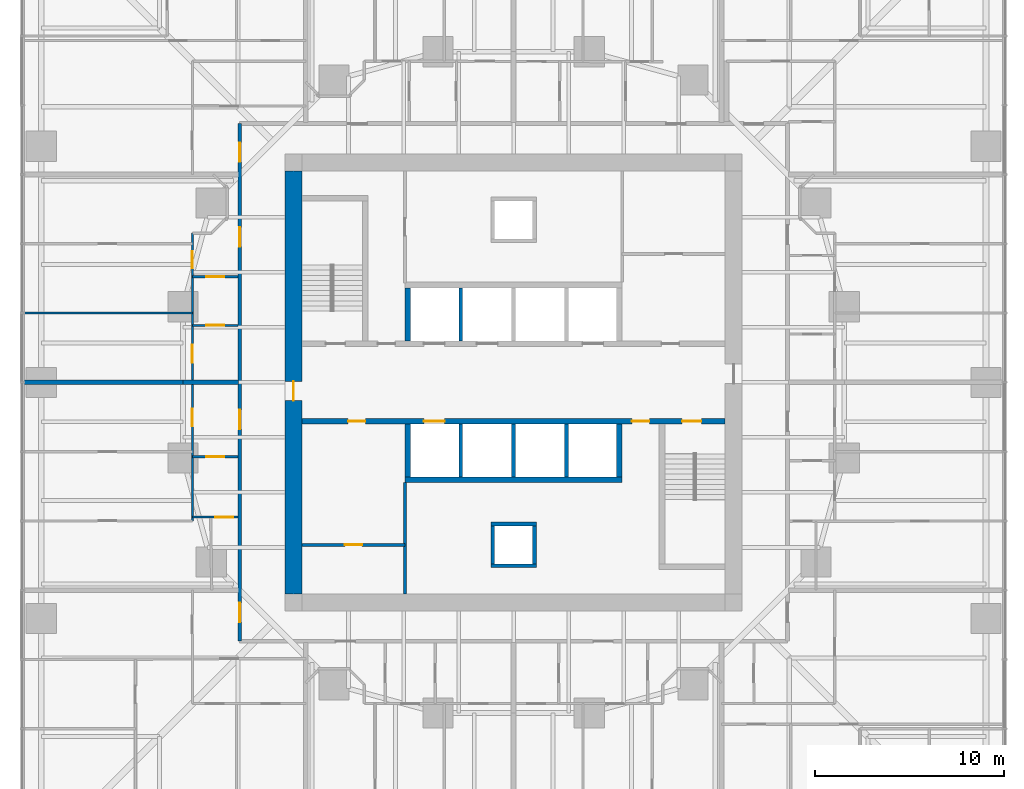
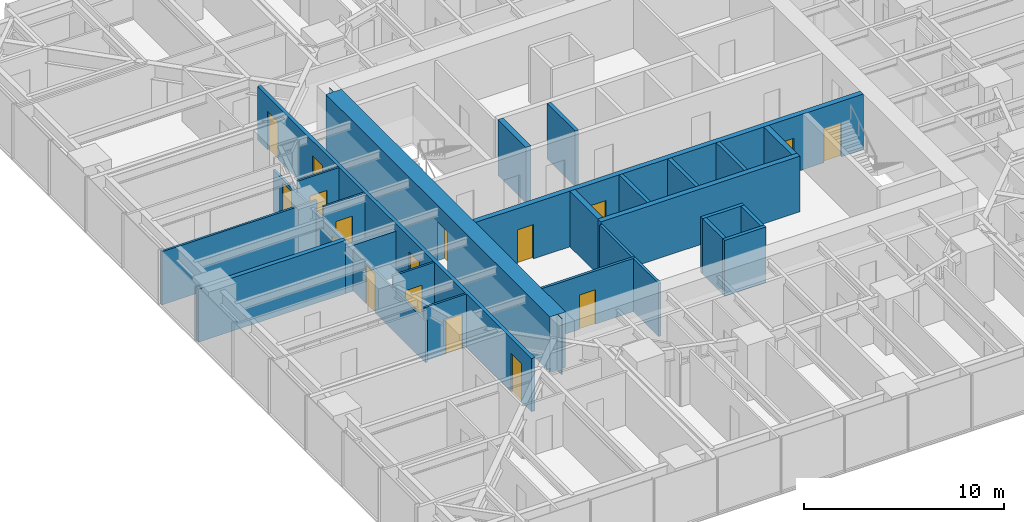
# One storey, part 9 of 17: 25 walls, 17 doors, 17 openings.
"""IFC4 building model written with IfcOpenShell, lengths in metres."""

from ifc_helpers import new_model, si_unit, direction, frame, frame_2d, origin, place, context, subcontext, project, spatial, polyline, rectangle, outline, extrude, material, layer, layer_set, type_object, element, fill, save


model = new_model("IFC4")

# Units and contexts
model_context = context("Model", 3, precision=1e-05, world=origin(), true_north=direction((0.0, 1.0)))
body_context = subcontext(model_context, "Body", "Model", "MODEL_VIEW")
ifc_project = project(units=[si_unit("LENGTHUNIT", "METRE"), si_unit("AREAUNIT", "SQUARE_METRE"), si_unit("VOLUMEUNIT", "CUBIC_METRE"), si_unit("PLANEANGLEUNIT", "RADIAN"), si_unit("MASSUNIT", "GRAM", prefix="KILO")], contexts=[model_context])

# Site, building, storey
site_placement = place(None, origin())
site = spatial("IfcSite", under=ifc_project, at=site_placement, CompositionType="ELEMENT")
building_placement = place(site_placement, origin())
building = spatial("IfcBuilding", under=site, at=building_placement, Name="Torsade Residences", CompositionType="ELEMENT")
storey_placement = place(building_placement, frame((0.0, 0.0, 18.39990234375)))
storey = spatial("IfcBuildingStorey", under=building, at=storey_placement, Name="L04", CompositionType="ELEMENT", Elevation=18.39990234375)

# Wall, openings, doors
ifc_material_1 = material(Name="Concrete 80 MPa", Category="concrete")
ifc_layer_1 = layer(ifc_material_1, 0.300048828125)
ifc_layer_set_1 = layer_set([ifc_layer_1], Name="Concrete 80 MPa")
wall_type_1 = type_object("IfcWallType", Name="CORE INTERNAL WALL 300", PredefinedType="SHEAR", material=ifc_layer_set_1)
wall_1_placement = place(storey_placement, frame((51.199951171875, 27.949951171875, 0.0), z_axis=(0.0, 0.0, 1.0), x_axis=(-1.0, 0.0, 0.0)))
wall_1 = element("IfcWall", 1, at=wall_1_placement, inside=storey, type_object=wall_type_1, Name="Core wall LS L04", PredefinedType="SHEAR", context=body_context, shape_type="SweptSolid", body=[
    extrude(rectangle(XDim=22.39990234375, YDim=0.300048828125, at=frame_2d((11.199951171875, 0.0))), origin(), (0.0, 0.0, 1.0), 3.400146484375),
])
opening_1_placement = place(wall_1_placement, frame((19.0400390625, 0.0, 0.0)))
opening_1 = element("IfcOpeningElement", 2, at=opening_1_placement, cuts=wall_1, Name="Opening D06", PredefinedType="OPENING", context=body_context, shape_type="SweptSolid", body=[
    extrude(rectangle(XDim=0.919921875, YDim=2.10009765625, at=frame_2d((0.4599609375, 1.050048828125))), frame((0.0, 0.159912109375, 0.0), z_axis=(0.0, -1.0, 0.0), x_axis=(1.0, 0.0, 0.0)), (0.0, 0.0, 1.0), 0.320068359375),
])
opening_2_placement = place(wall_1_placement, frame((1.264892578125, 0.0, 0.0)))
opening_2 = element("IfcOpeningElement", 3, at=opening_2_placement, cuts=wall_1, Name="Opening D03", PredefinedType="OPENING", context=body_context, shape_type="SweptSolid", body=[
    extrude(rectangle(XDim=1.02001953125, YDim=2.10009765625, at=frame_2d((0.510009765625, 1.050048828125))), frame((0.0, 0.159912109375, 0.0), z_axis=(0.0, -1.0, 0.0), x_axis=(1.0, 0.0, 0.0)), (0.0, 0.0, 1.0), 0.320068359375),
])
opening_3_placement = place(wall_1_placement, frame((4.014892578125, 0.0, 0.0)))
opening_3 = element("IfcOpeningElement", 4, at=opening_3_placement, cuts=wall_1, Name="Opening D06", PredefinedType="OPENING", context=body_context, shape_type="SweptSolid", body=[
    extrude(rectangle(XDim=0.919921875, YDim=2.10009765625, at=frame_2d((0.4599609375, 1.050048828125))), frame((0.0, 0.159912109375, 0.0), z_axis=(0.0, -1.0, 0.0), x_axis=(1.0, 0.0, 0.0)), (0.0, 0.0, 1.0), 0.320068359375),
])
opening_4_placement = place(wall_1_placement, frame((14.85009765625, 0.0, 0.0)))
opening_4 = element("IfcOpeningElement", 5, at=opening_4_placement, cuts=wall_1, Name="Opening LD", PredefinedType="OPENING", context=body_context, shape_type="SweptSolid", body=[
    extrude(rectangle(XDim=1.10009765625, YDim=2.10009765625, at=frame_2d((0.550048828125, 1.050048828125))), frame((0.0, 0.159912109375, 0.0), z_axis=(0.0, -1.0, 0.0), x_axis=(1.0, 0.0, 0.0)), (0.0, 0.0, 1.0), 0.320068359375),
])
ifc_material_2 = material(Name="Steel-framed fire door", Category="steel")
door_type_1 = type_object("IfcDoorType", Name="FIRE DOOR 1020", OperationType="NOTDEFINED", PredefinedType="DOOR", material=ifc_material_2)
door_1_placement = place(opening_2_placement, origin())
door_1 = element("IfcDoor", 6, at=door_1_placement, inside=storey, type_object=door_type_1, Name="Exit door to fire-isolated stair ST2 L04", OperationType="SINGLE_SWING_RIGHT", OverallHeight=2.10009765625, OverallWidth=1.02001953125, PredefinedType="DOOR", context=body_context, shape_type="SweptSolid", body=[
    extrude(rectangle(XDim=1.02001953125, YDim=2.10009765625, at=frame_2d((0.510009765625, 1.050048828125))), frame((0.0, 0.02490234375, 0.0), z_axis=(0.0, -1.0, 0.0), x_axis=(1.0, 0.0, 0.0)), (0.0, 0.0, 1.0), 0.050048828125),
])
fill(opening_2, door_1)
ifc_material_3 = material(Name="Steel-framed fire door", Category="steel")
door_type_2 = type_object("IfcDoorType", Name="FIRE DOOR 920", OperationType="NOTDEFINED", PredefinedType="DOOR", material=ifc_material_3)
door_2_placement = place(opening_1_placement, origin())
door_2 = element("IfcDoor", 7, at=door_2_placement, inside=storey, type_object=door_type_2, Name="Door Lift lobby to Cleaner store", OperationType="SINGLE_SWING_LEFT", OverallHeight=2.10009765625, OverallWidth=0.919921875, PredefinedType="DOOR", context=body_context, shape_type="SweptSolid", body=[
    extrude(rectangle(XDim=0.919921875, YDim=2.10009765625, at=frame_2d((0.4599609375, 1.050048828125))), frame((0.0, 0.02490234375, 0.0), z_axis=(0.0, -1.0, 0.0), x_axis=(1.0, 0.0, 0.0)), (0.0, 0.0, 1.0), 0.050048828125),
])
fill(opening_1, door_2)
door_3_placement = place(opening_3_placement, origin())
door_3 = element("IfcDoor", 8, at=door_3_placement, inside=storey, type_object=door_type_2, Name="Door Lift lobby to Communications riser room", OperationType="SINGLE_SWING_RIGHT", OverallHeight=2.10009765625, OverallWidth=0.919921875, PredefinedType="DOOR", context=body_context, shape_type="SweptSolid", body=[
    extrude(rectangle(XDim=0.919921875, YDim=2.10009765625, at=frame_2d((0.4599609375, 1.050048828125))), frame((0.0, 0.02490234375, 0.0), z_axis=(0.0, -1.0, 0.0), x_axis=(1.0, 0.0, 0.0)), (0.0, 0.0, 1.0), 0.050048828125),
])
fill(opening_3, door_3)
ifc_material_4 = material(Name="Stainless steel lift landing door", Category="steel")
door_type_3 = type_object("IfcDoorType", Name="LIFT LANDING DOOR 1100", OperationType="SLIDING_TO_LEFT", PredefinedType="DOOR", material=ifc_material_4)
door_4_placement = place(opening_4_placement, origin())
door_4 = element("IfcDoor", 9, at=door_4_placement, inside=storey, type_object=door_type_3, Name="Lift FL2 landing door L04", OperationType="SLIDING_TO_LEFT", OverallHeight=2.10009765625, OverallWidth=1.10009765625, PredefinedType="DOOR", context=body_context, shape_type="SweptSolid", body=[
    extrude(rectangle(XDim=1.10009765625, YDim=2.10009765625, at=frame_2d((0.550048828125, 1.050048828125))), frame((0.0, 0.02490234375, 0.0), z_axis=(0.0, -1.0, 0.0), x_axis=(1.0, 0.0, 0.0)), (0.0, 0.0, 1.0), 0.050048828125),
])
fill(opening_4, door_4)

# Walls
wall_2_placement = place(storey_placement, frame((45.75, 24.85009765625, 0.0), z_axis=(0.0, 0.0, 1.0), x_axis=(-1.0, 0.0, 0.0)))
element("IfcWall", 10, at=wall_2_placement, inside=storey, type_object=wall_type_1, Name="Core wall BS L04", PredefinedType="SHEAR", context=body_context, shape_type="SweptSolid", body=[
    extrude(rectangle(XDim=11.5, YDim=0.300048828125, at=frame_2d((5.75, 0.0))), origin(), (0.0, 0.0, 1.0), 3.400146484375),
])
for number, where, z_axis, x_axis, name in (
    (11, (34.39990234375, 32.199951171875, 0.0), (0.0, 0.0, 1.0), (0.0, 1.0, 0.0), "Core wall DN0 L04"),
    (12, (45.60009765625, 27.800048828125, 0.0), (0.0, 0.0, 1.0), (0.0, -1.0, 0.0), "Core wall DS0 L04"),
    (13, (34.39990234375, 27.800048828125, 0.0), (0.0, 0.0, 1.0), (0.0, -1.0, 0.0), "Core wall DS4 L04"),
):
    element("IfcWall", number, at=place(storey_placement, frame(where, z_axis=z_axis, x_axis=x_axis)), inside=storey, type_object=wall_type_1, Name=name, PredefinedType="SHEAR", context=body_context, shape_type="SweptSolid", body=[
        extrude(rectangle(XDim=2.800048828125, YDim=0.300048828125, at=frame_2d((1.39990234375, 0.0))), origin(), (0.0, 0.0, 1.0), 3.400146484375),
    ])

# Wall, opening, door
ifc_material_5 = material(Name="Concrete 80 MPa", Category="concrete")
ifc_layer_2 = layer(ifc_material_5, 0.89990234375)
ifc_layer_set_2 = layer_set([ifc_layer_2], Name="Concrete 80 MPa")
wall_type_2 = type_object("IfcWallType", Name="CORE WALL 900", PredefinedType="SHEAR", material=ifc_layer_set_2)
wall_3_placement = place(storey_placement, frame((28.35009765625, 41.199951171875, 0.0), z_axis=(0.0, 0.0, 1.0), x_axis=(0.0, -1.0, 0.0)))
wall_3 = element("IfcWall", 14, at=wall_3_placement, inside=storey, type_object=wall_type_2, Name="Core wall W L04", PredefinedType="SHEAR", context=body_context, shape_type="SweptSolid", body=[
    extrude(outline(polyline([(0.0, -0.449951171875), (22.39990234375, -0.449951171875), (22.39990234375, -0.02490234375), (22.849853515625, -0.02490234375), (22.849853515625, 0.02490234375), (22.39990234375, 0.02490234375), (22.39990234375, 0.449951171875), (0.0, 0.449951171875), (0.0, 0.02490234375), (-0.449951171875, 0.02490234375), (-0.449951171875, -0.02490234375), (0.0, -0.02490234375), (0.0, -0.449951171875)])), origin(), (0.0, 0.0, 1.0), 3.400146484375),
])
opening_5_placement = place(wall_3_placement, frame((11.139892578125, 0.0, 0.0)))
opening_5 = element("IfcOpeningElement", 15, at=opening_5_placement, cuts=wall_3, Name="Opening D04", PredefinedType="OPENING", context=body_context, shape_type="SweptSolid", body=[
    extrude(rectangle(XDim=1.02001953125, YDim=2.39990234375, at=frame_2d((0.510009765625, 1.199951171875))), frame((0.0, 0.4599609375, 0.0), z_axis=(0.0, -1.0, 0.0), x_axis=(1.0, 0.0, 0.0)), (0.0, 0.0, 1.0), 0.919921875),
])
ifc_material_6 = material(Name="Steel-framed fire door", Category="steel")
door_type_4 = type_object("IfcDoorType", Name="LOBBY SMOKE DOOR 1020x2400", OperationType="NOTDEFINED", PredefinedType="DOOR", material=ifc_material_6)
door_5_placement = place(opening_5_placement, origin())
door_5 = element("IfcDoor", 16, at=door_5_placement, inside=storey, type_object=door_type_4, Name="Lift lobby door W L04", OperationType="SINGLE_SWING_RIGHT", OverallHeight=2.39990234375, OverallWidth=1.02001953125, PredefinedType="DOOR", context=body_context, shape_type="SweptSolid", body=[
    extrude(rectangle(XDim=1.02001953125, YDim=2.39990234375, at=frame_2d((0.510009765625, 1.199951171875))), frame((0.0, 0.02490234375, 0.0), z_axis=(0.0, -1.0, 0.0), x_axis=(1.0, 0.0, 0.0)), (0.0, 0.0, 1.0), 0.050048828125),
])
fill(opening_5, door_5)

# Wall, openings, doors
ifc_material_7 = material(Name="Plasterboard on steel stud", Category="steel")
ifc_layer_3 = layer(ifc_material_7, 0.199951171875)
ifc_layer_set_3 = layer_set([ifc_layer_3], Name="Plasterboard on steel stud")
wall_type_3 = type_object("IfcWallType", Name="CORRIDOR WALL 200", PredefinedType="PARTITIONING", material=ifc_layer_set_3)
wall_4_placement = place(storey_placement, frame((25.5, 43.699951171875, 0.0), z_axis=(0.0, 0.0, 1.0), x_axis=(0.0, -1.0, 0.0)))
wall_4 = element("IfcWall", 17, at=wall_4_placement, inside=storey, type_object=wall_type_3, Name="Corridor wall L04", PredefinedType="PARTITIONING", context=body_context, shape_type="SweptSolid", body=[
    extrude(rectangle(XDim=27.39990234375, YDim=0.199951171875, at=frame_2d((13.699951171875, 0.0))), origin(), (0.0, 0.0, 1.0), 3.25),
])
opening_6_placement = place(wall_4_placement, frame((5.492919921875, 0.0, 0.0)))
opening_6 = element("IfcOpeningElement", 18, at=opening_6_placement, cuts=wall_4, Name="Opening D01", PredefinedType="OPENING", context=body_context, shape_type="SweptSolid", body=[
    extrude(rectangle(XDim=1.02001953125, YDim=2.340087890625, at=frame_2d((0.510009765625, 1.169921875))), frame((0.0, 0.10986328125, 0.0), z_axis=(0.0, -1.0, 0.0), x_axis=(1.0, 0.0, 0.0)), (0.0, 0.0, 1.0), 0.219970703125),
])
opening_7_placement = place(wall_4_placement, frame((15.16015625, 0.0, 0.0)))
opening_7 = element("IfcOpeningElement", 19, at=opening_7_placement, cuts=wall_4, Name="Opening D01", PredefinedType="OPENING", context=body_context, shape_type="SweptSolid", body=[
    extrude(rectangle(XDim=1.02001953125, YDim=2.340087890625, at=frame_2d((0.510009765625, 1.169921875))), frame((0.0, 0.10986328125, 0.0), z_axis=(0.0, -1.0, 0.0), x_axis=(1.0, 0.0, 0.0)), (0.0, 0.0, 1.0), 0.219970703125),
])
opening_8_placement = place(wall_4_placement, frame((25.364990234375, 0.0, 0.0)))
opening_8 = element("IfcOpeningElement", 20, at=opening_8_placement, cuts=wall_4, Name="Opening D01", PredefinedType="OPENING", context=body_context, shape_type="SweptSolid", body=[
    extrude(rectangle(XDim=1.02001953125, YDim=2.340087890625, at=frame_2d((0.510009765625, 1.169921875))), frame((0.0, 0.10986328125, 0.0), z_axis=(0.0, -1.0, 0.0), x_axis=(1.0, 0.0, 0.0)), (0.0, 0.0, 1.0), 0.219970703125),
])
opening_9_placement = place(wall_4_placement, frame((1.014892578125, 0.0, 0.0)))
opening_9 = element("IfcOpeningElement", 21, at=opening_9_placement, cuts=wall_4, Name="Opening D01", PredefinedType="OPENING", context=body_context, shape_type="SweptSolid", body=[
    extrude(rectangle(XDim=1.02001953125, YDim=2.340087890625, at=frame_2d((0.510009765625, 1.169921875))), frame((0.0, 0.10986328125, 0.0), z_axis=(0.0, -1.0, 0.0), x_axis=(1.0, 0.0, 0.0)), (0.0, 0.0, 1.0), 0.219970703125),
])
ifc_material_8 = material(Name="Solid-core timber fire door", Category="wood")
door_type_5 = type_object("IfcDoorType", Name="APARTMENT ENTRY DOOR 1020x2340", OperationType="NOTDEFINED", PredefinedType="DOOR", material=ifc_material_8)
door_6_placement = place(opening_6_placement, origin())
door_6 = element("IfcDoor", 22, at=door_6_placement, inside=storey, type_object=door_type_5, Name="Door Residential corridor to Kitchen and dining", OperationType="SINGLE_SWING_RIGHT", OverallHeight=2.340087890625, OverallWidth=1.02001953125, PredefinedType="DOOR", context=body_context, shape_type="SweptSolid", body=[
    extrude(rectangle(XDim=1.02001953125, YDim=2.340087890625, at=frame_2d((0.510009765625, 1.169921875))), frame((0.0, 0.02490234375, 0.0), z_axis=(0.0, -1.0, 0.0), x_axis=(1.0, 0.0, 0.0)), (0.0, 0.0, 1.0), 0.050048828125),
])
fill(opening_6, door_6)
door_7_placement = place(opening_7_placement, origin())
door_7 = element("IfcDoor", 23, at=door_7_placement, inside=storey, type_object=door_type_5, Name="Door Residential corridor to Kitchen and dining", OperationType="SINGLE_SWING_RIGHT", OverallHeight=2.340087890625, OverallWidth=1.02001953125, PredefinedType="DOOR", context=body_context, shape_type="SweptSolid", body=[
    extrude(rectangle(XDim=1.02001953125, YDim=2.340087890625, at=frame_2d((0.510009765625, 1.169921875))), frame((0.0, 0.02490234375, 0.0), z_axis=(0.0, -1.0, 0.0), x_axis=(1.0, 0.0, 0.0)), (0.0, 0.0, 1.0), 0.050048828125),
])
fill(opening_7, door_7)
door_8_placement = place(opening_8_placement, origin())
door_8 = element("IfcDoor", 24, at=door_8_placement, inside=storey, type_object=door_type_5, Name="Door Residential corridor to Kitchen and dining", OperationType="SINGLE_SWING_RIGHT", OverallHeight=2.340087890625, OverallWidth=1.02001953125, PredefinedType="DOOR", context=body_context, shape_type="SweptSolid", body=[
    extrude(rectangle(XDim=1.02001953125, YDim=2.340087890625, at=frame_2d((0.510009765625, 1.169921875))), frame((0.0, 0.02490234375, 0.0), z_axis=(0.0, -1.0, 0.0), x_axis=(1.0, 0.0, 0.0)), (0.0, 0.0, 1.0), 0.050048828125),
])
fill(opening_8, door_8)
door_9_placement = place(opening_9_placement, origin())
door_9 = element("IfcDoor", 25, at=door_9_placement, inside=storey, type_object=door_type_5, Name="Door Residential corridor to Kitchen and dining", OperationType="SINGLE_SWING_LEFT", OverallHeight=2.340087890625, OverallWidth=1.02001953125, PredefinedType="DOOR", context=body_context, shape_type="SweptSolid", body=[
    extrude(rectangle(XDim=1.02001953125, YDim=2.340087890625, at=frame_2d((0.510009765625, 1.169921875))), frame((0.0, 0.02490234375, 0.0), z_axis=(0.0, -1.0, 0.0), x_axis=(1.0, 0.0, 0.0)), (0.0, 0.0, 1.0), 0.050048828125),
])
fill(opening_9, door_9)

# Walls
ifc_material_9 = material(Name="Reinforced blockwork", Category="masonry")
ifc_layer_4 = layer(ifc_material_9, 0.199951171875)
ifc_layer_set_4 = layer_set([ifc_layer_4], Name="Reinforced blockwork")
wall_type_4 = type_object("IfcWallType", Name="LIFT SHAFT DIVIDING WALL 200", PredefinedType="SOLIDWALL", material=ifc_layer_set_4)
for number, where, z_axis, x_axis, name in (
    (26, (37.199951171875, 32.199951171875, 0.0), (0.0, 0.0, 1.0), (0.0, 1.0, 0.0), "Core wall DN1 L04"),
    (27, (42.800048828125, 27.800048828125, 0.0), (0.0, 0.0, 1.0), (0.0, -1.0, 0.0), "Core wall DS1 L04"),
    (28, (40.0, 27.800048828125, 0.0), (0.0, 0.0, 1.0), (0.0, -1.0, 0.0), "Core wall DS2 L04"),
    (29, (37.199951171875, 27.800048828125, 0.0), (0.0, 0.0, 1.0), (0.0, -1.0, 0.0), "Core wall DS3 L04"),
):
    element("IfcWall", number, at=place(storey_placement, frame(where, z_axis=z_axis, x_axis=x_axis)), inside=storey, type_object=wall_type_4, Name=name, PredefinedType="SOLIDWALL", context=body_context, shape_type="SweptSolid", body=[
        extrude(rectangle(XDim=2.800048828125, YDim=0.199951171875, at=frame_2d((1.39990234375, 0.0))), origin(), (0.0, 0.0, 1.0), 3.400146484375),
    ])

# Wall, opening, door
ifc_material_10 = material(Name="Plasterboard on steel stud", Category="steel")
ifc_layer_5 = layer(ifc_material_10, 0.1201171875)
ifc_layer_set_5 = layer_set([ifc_layer_5], Name="Plasterboard on steel stud")
wall_type_5 = type_object("IfcWallType", Name="PARTITION 120", PredefinedType="PARTITIONING", material=ifc_layer_set_5)
wall_5_placement = place(storey_placement, frame((25.39990234375, 26.0595703125, 0.0), z_axis=(0.0, 0.0, 1.0), x_axis=(-1.0, 0.0, 0.0)))
wall_5 = element("IfcWall", 30, at=wall_5_placement, inside=storey, type_object=wall_type_5, Name="Partition L04", PredefinedType="PARTITIONING", context=body_context, shape_type="SweptSolid", body=[
    extrude(rectangle(XDim=2.39990234375, YDim=0.1201171875, at=frame_2d((1.199951171875, 0.0))), origin(), (0.0, 0.0, 1.0), 3.25),
])
opening_10_placement = place(wall_5_placement, frame((0.719970703125, 0.0, 0.0)))
opening_10 = element("IfcOpeningElement", 31, at=opening_10_placement, cuts=wall_5, Name="Opening D05", PredefinedType="OPENING", context=body_context, shape_type="SweptSolid", body=[
    extrude(rectangle(XDim=0.9599609375, YDim=2.10009765625, at=frame_2d((0.47998046875, 1.050048828125))), frame((0.0, 0.070068359375, 0.0), z_axis=(0.0, -1.0, 0.0), x_axis=(1.0, 0.0, 0.0)), (0.0, 0.0, 1.0), 0.14013671875),
])
ifc_material_11 = material(Name="Hollow-core timber door in a steel cavity frame", Category="steel")
door_type_6 = type_object("IfcDoorType", Name="BATHROOM CAVITY SLIDING DOOR 960", OperationType="SLIDING_TO_LEFT", PredefinedType="DOOR", material=ifc_material_11)
door_10_placement = place(opening_10_placement, origin())
door_10 = element("IfcDoor", 32, at=door_10_placement, inside=storey, type_object=door_type_6, Name="Door Kitchen and dining to Ensuite", OperationType="SLIDING_TO_LEFT", OverallHeight=2.10009765625, OverallWidth=0.9599609375, PredefinedType="DOOR", context=body_context, shape_type="SweptSolid", body=[
    extrude(rectangle(XDim=0.9599609375, YDim=2.10009765625, at=frame_2d((0.47998046875, 1.050048828125))), frame((0.0, 0.02490234375, 0.0), z_axis=(0.0, -1.0, 0.0), x_axis=(1.0, 0.0, 0.0)), (0.0, 0.0, 1.0), 0.050048828125),
])
fill(opening_10, door_10)

# Wall, openings, doors
wall_6_placement = place(storey_placement, frame((23.0, 22.666748046875, 0.0), z_axis=(0.0, 0.0, 1.0), x_axis=(0.0, 1.0, 0.0)))
wall_6 = element("IfcWall", 33, at=wall_6_placement, inside=storey, type_object=wall_type_5, Name="Partition L04", PredefinedType="PARTITIONING", context=body_context, shape_type="SweptSolid", body=[
    extrude(rectangle(XDim=15.233154296875, YDim=0.1201171875, at=frame_2d((7.61669921875, 0.0))), origin(), (0.0, 0.0, 1.0), 2.550048828125),
])
opening_11_placement = place(wall_6_placement, frame((13.362060546875, 0.0, 0.0)))
opening_11 = element("IfcOpeningElement", 34, at=opening_11_placement, cuts=wall_6, Name="Opening D02", PredefinedType="OPENING", context=body_context, shape_type="SweptSolid", body=[
    extrude(rectangle(XDim=0.919921875, YDim=2.340087890625, at=frame_2d((0.4599609375, 1.169921875))), frame((0.0, 0.070068359375, 0.0), z_axis=(0.0, -1.0, 0.0), x_axis=(1.0, 0.0, 0.0)), (0.0, 0.0, 1.0), 0.14013671875),
])
opening_12_placement = place(wall_6_placement, frame((5.014892578125, 0.0, 0.0)))
opening_12 = element("IfcOpeningElement", 35, at=opening_12_placement, cuts=wall_6, Name="Opening D02", PredefinedType="OPENING", context=body_context, shape_type="SweptSolid", body=[
    extrude(rectangle(XDim=0.919921875, YDim=2.340087890625, at=frame_2d((0.4599609375, 1.169921875))), frame((0.0, 0.070068359375, 0.0), z_axis=(0.0, -1.0, 0.0), x_axis=(1.0, 0.0, 0.0)), (0.0, 0.0, 1.0), 0.14013671875),
])
opening_13_placement = place(wall_6_placement, frame((8.36181640625, 0.0, 0.0)))
opening_13 = element("IfcOpeningElement", 36, at=opening_13_placement, cuts=wall_6, Name="Opening D05", PredefinedType="OPENING", context=body_context, shape_type="SweptSolid", body=[
    extrude(rectangle(XDim=0.9599609375, YDim=2.10009765625, at=frame_2d((0.47998046875, 1.050048828125))), frame((0.0, 0.070068359375, 0.0), z_axis=(0.0, -1.0, 0.0), x_axis=(1.0, 0.0, 0.0)), (0.0, 0.0, 1.0), 0.14013671875),
])
door_11_placement = place(opening_13_placement, origin())
door_11 = element("IfcDoor", 37, at=door_11_placement, inside=storey, type_object=door_type_6, Name="Door Bathroom to Bedroom 1", OperationType="SLIDING_TO_LEFT", OverallHeight=2.10009765625, OverallWidth=0.9599609375, PredefinedType="DOOR", context=body_context, shape_type="SweptSolid", body=[
    extrude(rectangle(XDim=0.9599609375, YDim=2.10009765625, at=frame_2d((0.47998046875, 1.050048828125))), frame((0.0, 0.02490234375, 0.0), z_axis=(0.0, -1.0, 0.0), x_axis=(1.0, 0.0, 0.0)), (0.0, 0.0, 1.0), 0.050048828125),
])
fill(opening_13, door_11)
ifc_material_12 = material(Name="Hollow-core timber door", Category="wood")
door_type_7 = type_object("IfcDoorType", Name="INTERNAL DOOR 920x2340", OperationType="NOTDEFINED", PredefinedType="DOOR", material=ifc_material_12)
door_12_placement = place(opening_11_placement, origin())
door_12 = element("IfcDoor", 38, at=door_12_placement, inside=storey, type_object=door_type_7, Name="Door Kitchen and dining to Bedroom 2", OperationType="SINGLE_SWING_RIGHT", OverallHeight=2.340087890625, OverallWidth=0.919921875, PredefinedType="DOOR", context=body_context, shape_type="SweptSolid", body=[
    extrude(rectangle(XDim=0.919921875, YDim=2.340087890625, at=frame_2d((0.4599609375, 1.169921875))), frame((0.0, 0.02490234375, 0.0), z_axis=(0.0, -1.0, 0.0), x_axis=(1.0, 0.0, 0.0)), (0.0, 0.0, 1.0), 0.050048828125),
])
fill(opening_11, door_12)
door_13_placement = place(opening_12_placement, origin())
door_13 = element("IfcDoor", 39, at=door_13_placement, inside=storey, type_object=door_type_7, Name="Door Kitchen and dining to Living room", OperationType="SINGLE_SWING_LEFT", OverallHeight=2.340087890625, OverallWidth=0.919921875, PredefinedType="DOOR", context=body_context, shape_type="SweptSolid", body=[
    extrude(rectangle(XDim=0.919921875, YDim=2.340087890625, at=frame_2d((0.4599609375, 1.169921875))), frame((0.0, 0.02490234375, 0.0), z_axis=(0.0, -1.0, 0.0), x_axis=(1.0, 0.0, 0.0)), (0.0, 0.0, 1.0), 0.050048828125),
])
fill(opening_12, door_13)

# Wall, opening, door
wall_7_placement = place(storey_placement, frame((23.0, 22.871337890625, 0.0), z_axis=(0.0, 0.0, 1.0), x_axis=(1.0, 0.0, 0.0)))
wall_7 = element("IfcWall", 40, at=wall_7_placement, inside=storey, type_object=wall_type_5, Name="Partition L04", PredefinedType="PARTITIONING", context=body_context, shape_type="SweptSolid", body=[
    extrude(rectangle(XDim=2.39990234375, YDim=0.1201171875, at=frame_2d((1.199951171875, 0.0))), origin(), (0.0, 0.0, 1.0), 3.25),
])
opening_14_placement = place(wall_7_placement, frame((1.2041015625, 0.0, 0.0)))
opening_14 = element("IfcOpeningElement", 41, at=opening_14_placement, cuts=wall_7, Name="Opening D05", PredefinedType="OPENING", context=body_context, shape_type="SweptSolid", body=[
    extrude(rectangle(XDim=0.9599609375, YDim=2.10009765625, at=frame_2d((0.47998046875, 1.050048828125))), frame((0.0, 0.070068359375, 0.0), z_axis=(0.0, -1.0, 0.0), x_axis=(1.0, 0.0, 0.0)), (0.0, 0.0, 1.0), 0.14013671875),
])
door_14_placement = place(opening_14_placement, origin())
door_14 = element("IfcDoor", 42, at=door_14_placement, inside=storey, type_object=door_type_6, Name="Door Ensuite to Bathroom", OperationType="SLIDING_TO_LEFT", OverallHeight=2.10009765625, OverallWidth=0.9599609375, PredefinedType="DOOR", context=body_context, shape_type="SweptSolid", body=[
    extrude(rectangle(XDim=0.9599609375, YDim=2.10009765625, at=frame_2d((0.47998046875, 1.050048828125))), frame((0.0, 0.02490234375, 0.0), z_axis=(0.0, -1.0, 0.0), x_axis=(1.0, 0.0, 0.0)), (0.0, 0.0, 1.0), 0.050048828125),
])
fill(opening_14, door_14)

wall_8_placement = place(storey_placement, frame((25.39990234375, 35.594482421875, 0.0), z_axis=(0.0, 0.0, 1.0), x_axis=(-1.0, 0.0, 0.0)))
wall_8 = element("IfcWall", 43, at=wall_8_placement, inside=storey, type_object=wall_type_5, Name="Partition L04", PredefinedType="PARTITIONING", context=body_context, shape_type="SweptSolid", body=[
    extrude(rectangle(XDim=2.39990234375, YDim=0.1201171875, at=frame_2d((1.199951171875, 0.0))), origin(), (0.0, 0.0, 1.0), 3.25),
])
opening_15_placement = place(wall_8_placement, frame((0.719970703125, 0.0, 0.0)))
opening_15 = element("IfcOpeningElement", 44, at=opening_15_placement, cuts=wall_8, Name="Opening D05", PredefinedType="OPENING", context=body_context, shape_type="SweptSolid", body=[
    extrude(rectangle(XDim=0.9599609375, YDim=2.10009765625, at=frame_2d((0.47998046875, 1.050048828125))), frame((0.0, 0.070068359375, 0.0), z_axis=(0.0, -1.0, 0.0), x_axis=(1.0, 0.0, 0.0)), (0.0, 0.0, 1.0), 0.14013671875),
])
door_15_placement = place(opening_15_placement, origin())
door_15 = element("IfcDoor", 45, at=door_15_placement, inside=storey, type_object=door_type_6, Name="Door Kitchen and dining to Ensuite", OperationType="SLIDING_TO_LEFT", OverallHeight=2.10009765625, OverallWidth=0.9599609375, PredefinedType="DOOR", context=body_context, shape_type="SweptSolid", body=[
    extrude(rectangle(XDim=0.9599609375, YDim=2.10009765625, at=frame_2d((0.47998046875, 1.050048828125))), frame((0.0, 0.02490234375, 0.0), z_axis=(0.0, -1.0, 0.0), x_axis=(1.0, 0.0, 0.0)), (0.0, 0.0, 1.0), 0.050048828125),
])
fill(opening_15, door_15)

wall_9_placement = place(storey_placement, frame((23.0, 33.016845703125, 0.0), z_axis=(0.0, 0.0, 1.0), x_axis=(1.0, 0.0, 0.0)))
wall_9 = element("IfcWall", 46, at=wall_9_placement, inside=storey, type_object=wall_type_5, Name="Partition L04", PredefinedType="PARTITIONING", context=body_context, shape_type="SweptSolid", body=[
    extrude(rectangle(XDim=2.39990234375, YDim=0.1201171875, at=frame_2d((1.199951171875, 0.0))), origin(), (0.0, 0.0, 1.0), 3.25),
])
opening_16_placement = place(wall_9_placement, frame((0.719970703125, 0.0, 0.0)))
opening_16 = element("IfcOpeningElement", 47, at=opening_16_placement, cuts=wall_9, Name="Opening D05", PredefinedType="OPENING", context=body_context, shape_type="SweptSolid", body=[
    extrude(rectangle(XDim=0.9599609375, YDim=2.10009765625, at=frame_2d((0.47998046875, 1.050048828125))), frame((0.0, 0.070068359375, 0.0), z_axis=(0.0, -1.0, 0.0), x_axis=(1.0, 0.0, 0.0)), (0.0, 0.0, 1.0), 0.14013671875),
])
door_16_placement = place(opening_16_placement, origin())
door_16 = element("IfcDoor", 48, at=door_16_placement, inside=storey, type_object=door_type_6, Name="Door Ensuite to Bathroom", OperationType="SLIDING_TO_LEFT", OverallHeight=2.10009765625, OverallWidth=0.9599609375, PredefinedType="DOOR", context=body_context, shape_type="SweptSolid", body=[
    extrude(rectangle(XDim=0.9599609375, YDim=2.10009765625, at=frame_2d((0.47998046875, 1.050048828125))), frame((0.0, 0.02490234375, 0.0), z_axis=(0.0, -1.0, 0.0), x_axis=(1.0, 0.0, 0.0)), (0.0, 0.0, 1.0), 0.050048828125),
])
fill(opening_16, door_16)

# Walls
wall_10_placement = place(storey_placement, frame((14.0400390625, 33.666748046875, 0.0), z_axis=(0.0, 0.0, 1.0), x_axis=(1.0, 0.0, 0.0)))
element("IfcWall", 49, at=wall_10_placement, inside=storey, type_object=wall_type_5, Name="Partition L04", PredefinedType="PARTITIONING", context=body_context, shape_type="SweptSolid", body=[
    extrude(rectangle(XDim=8.9599609375, YDim=0.1201171875, at=frame_2d((4.47998046875, 0.0))), origin(), (0.0, 0.0, 1.0), 3.25),
])
ifc_material_13 = material(Name="Masonry-lined stud party wall", Category="masonry")
ifc_layer_6 = layer(ifc_material_13, 0.25)
ifc_layer_set_6 = layer_set([ifc_layer_6], Name="Masonry-lined stud party wall")
wall_type_6 = type_object("IfcWallType", Name="PARTY WALL 250", PredefinedType="PARTITIONING", material=ifc_layer_set_6)
wall_11_placement = place(storey_placement, frame((14.0, 30.0, 0.0), z_axis=(0.0, 0.0, 1.0), x_axis=(1.0, 0.0, 0.0)))
element("IfcWall", 50, at=wall_11_placement, inside=storey, type_object=wall_type_6, Name="Party wall L04", PredefinedType="PARTITIONING", context=body_context, shape_type="SweptSolid", body=[
    extrude(rectangle(XDim=8.5, YDim=0.25, at=frame_2d((4.25, 0.0))), origin(), (0.0, 0.0, 1.0), 3.25),
])
wall_12_placement = place(storey_placement, frame((22.5, 30.0, 0.0), z_axis=(0.0, 0.0, 1.0), x_axis=(1.0, 0.0, 0.0)))
element("IfcWall", 51, at=wall_12_placement, inside=storey, type_object=wall_type_6, Name="Party wall L04", PredefinedType="PARTITIONING", context=body_context, shape_type="SweptSolid", body=[
    extrude(rectangle(XDim=2.93994140625, YDim=0.25, at=frame_2d((1.469970703125, 0.0))), origin(), (0.0, 0.0, 1.0), 2.795166015625),
])
ifc_material_14 = material(Name="Reinforced blockwork", Category="masonry")
ifc_layer_7 = layer(ifc_material_14, 0.199951171875)
ifc_layer_set_7 = layer_set([ifc_layer_7], Name="Reinforced blockwork")
wall_type_7 = type_object("IfcWallType", Name="RISER SHAFT WALL 200", PredefinedType="SOLIDWALL", material=ifc_layer_set_7)
for number, where, z_axis, x_axis, name in (
    (52, (38.89990234375, 22.39990234375, 0.0), (0.0, 0.0, 1.0), (0.0, -1.0, 0.0), "Core wall RS2a L04"),
    (53, (41.10009765625, 22.39990234375, 0.0), (0.0, 0.0, 1.0), (0.0, -1.0, 0.0), "Core wall RS2b L04"),
):
    element("IfcWall", number, at=place(storey_placement, frame(where, z_axis=z_axis, x_axis=x_axis)), inside=storey, type_object=wall_type_7, Name=name, PredefinedType="SOLIDWALL", context=body_context, shape_type="SweptSolid", body=[
        extrude(rectangle(XDim=2.0, YDim=0.199951171875, at=frame_2d((1.0, 0.0))), origin(), (0.0, 0.0, 1.0), 3.400146484375),
    ])
for number, where, z_axis, x_axis, name in (
    (54, (38.800048828125, 22.5, 0.0), (0.0, 0.0, 1.0), (1.0, 0.0, 0.0), "Core wall RS2c L04"),
    (55, (38.800048828125, 20.300048828125, 0.0), (0.0, 0.0, 1.0), (1.0, 0.0, 0.0), "Core wall RS2d L04"),
):
    element("IfcWall", number, at=place(storey_placement, frame(where, z_axis=z_axis, x_axis=x_axis)), inside=storey, type_object=wall_type_7, Name=name, PredefinedType="SOLIDWALL", context=body_context, shape_type="SweptSolid", body=[
        extrude(rectangle(XDim=2.39990234375, YDim=0.199951171875, at=frame_2d((1.199951171875, 0.0))), origin(), (0.0, 0.0, 1.0), 3.400146484375),
    ])
ifc_material_15 = material(Name="Reinforced blockwork", Category="masonry")
ifc_layer_8 = layer(ifc_material_15, 0.14990234375)
ifc_layer_set_8 = layer_set([ifc_layer_8], Name="Reinforced blockwork")
wall_type_8 = type_object("IfcWallType", Name="SERVICE ROOM WALL 150", PredefinedType="SOLIDWALL", material=ifc_layer_set_8)
wall_13_placement = place(storey_placement, frame((34.25, 18.800048828125, 0.0), z_axis=(0.0, 0.0, 1.0), x_axis=(0.0, 1.0, 0.0)))
element("IfcWall", 56, at=wall_13_placement, inside=storey, type_object=wall_type_8, Name="Service room wall L04", PredefinedType="SOLIDWALL", context=body_context, shape_type="SweptSolid", body=[
    extrude(rectangle(XDim=5.89990234375, YDim=0.14990234375, at=frame_2d((2.949951171875, 0.0))), origin(), (0.0, 0.0, 1.0), 3.25),
])

# Wall, opening, door
wall_14_placement = place(storey_placement, frame((34.25, 21.39990234375, 0.0), z_axis=(0.0, 0.0, 1.0), x_axis=(-1.0, 0.0, 0.0)))
wall_14 = element("IfcWall", 57, at=wall_14_placement, inside=storey, type_object=wall_type_8, Name="Service room wall L04", PredefinedType="SOLIDWALL", context=body_context, shape_type="SweptSolid", body=[
    extrude(rectangle(XDim=5.449951171875, YDim=0.14990234375, at=frame_2d((2.72509765625, 0.0))), origin(), (0.0, 0.0, 1.0), 3.25),
])
opening_17_placement = place(wall_14_placement, frame((2.264892578125, 0.0, 0.0)))
opening_17 = element("IfcOpeningElement", 58, at=opening_17_placement, cuts=wall_14, Name="Opening D06", PredefinedType="OPENING", context=body_context, shape_type="SweptSolid", body=[
    extrude(rectangle(XDim=0.919921875, YDim=2.10009765625, at=frame_2d((0.4599609375, 1.050048828125))), frame((0.0, 0.0849609375, 0.0), z_axis=(0.0, -1.0, 0.0), x_axis=(1.0, 0.0, 0.0)), (0.0, 0.0, 1.0), 0.169921875),
])
door_17_placement = place(opening_17_placement, origin())
door_17 = element("IfcDoor", 59, at=door_17_placement, inside=storey, type_object=door_type_2, Name="Door Cleaner store to Building store", OperationType="SINGLE_SWING_LEFT", OverallHeight=2.10009765625, OverallWidth=0.919921875, PredefinedType="DOOR", context=body_context, shape_type="SweptSolid", body=[
    extrude(rectangle(XDim=0.919921875, YDim=2.10009765625, at=frame_2d((0.4599609375, 1.050048828125))), frame((0.0, 0.02490234375, 0.0), z_axis=(0.0, -1.0, 0.0), x_axis=(1.0, 0.0, 0.0)), (0.0, 0.0, 1.0), 0.050048828125),
])
fill(opening_17, door_17)

save(model, "model.ifc")
